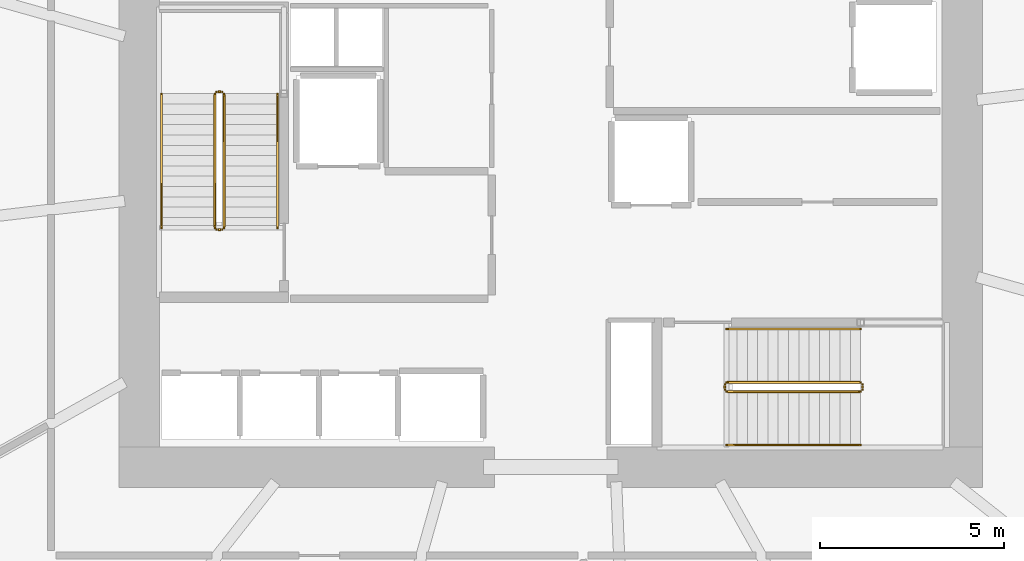
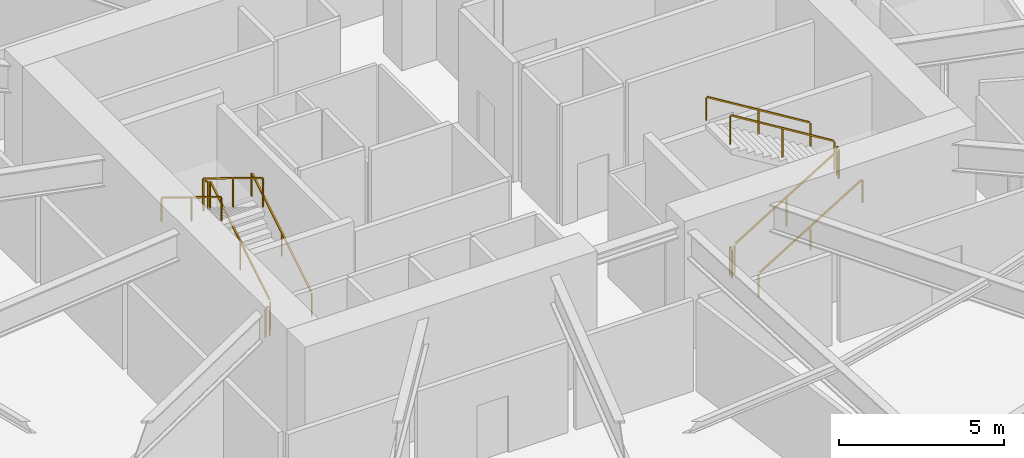
# One storey, part 20 of 21: 12 railings.
"""IFC4 building model written with IfcOpenShell, lengths in metres."""

import ifcopenshell
import ifcopenshell.guid

model = None  # the IFC model being written
_history = None  # IfcOwnerHistory: only IFC2X3 demands one
_inside = {}  # id of a spatial element -> (the spatial element, [elements in it])
_under = {}  # id of a project, library or spatial element -> (it, [spatial elements below it])
_declared = {}  # id of a project -> (the project, [libraries it declares])
_typed = {}  # id of a type object -> (the type object, [elements of that type])
_made_of = {}  # id of a material, layer set ... -> (it, [elements and type objects made of it])


def new_model(schema):
    """Start an empty IFC model of exactly this schema.

    Asked for "IFC4X3", IfcOpenShell would pick the latest addendum, in which some entities
    have other attributes; the version numbers below select the first issue.
    IFC2X3 requires an IfcOwnerHistory on every rooted entity: one is made here for all.
    """
    global model, _history
    if schema == "IFC4X3":
        model = ifcopenshell.file(schema_version=(4, 3, 0, 0))
    else:
        model = ifcopenshell.file(schema=schema)
    _inside.clear()
    _under.clear()
    _declared.clear()
    _typed.clear()
    _made_of.clear()
    _history = None
    if model.schema == "IFC2X3":
        org = make("IfcOrganization", Name="unknown")
        user = make(
            "IfcPersonAndOrganization",
            ThePerson=make("IfcPerson", FamilyName="unknown"),
            TheOrganization=org,
        )
        app = make(
            "IfcApplication",
            ApplicationDeveloper=org,
            Version="unknown",
            ApplicationFullName="unknown",
            ApplicationIdentifier="unknown",
        )
        _history = make(
            "IfcOwnerHistory",
            OwningUser=user,
            OwningApplication=app,
            ChangeAction="ADDED",
            CreationDate=0,
        )
    return model


def make(cls, **values):
    """One entity of the class cls with the attributes given. An attribute that is None is left unset."""
    return model.create_entity(
        cls, **{name: value for name, value in values.items() if value is not None}
    )


def rooted(cls, **values):
    """An entity with a GlobalId (a new one), such as an element, a storey or a relation."""
    return make(cls, GlobalId=ifcopenshell.guid.new(), OwnerHistory=_history, **values)


def si_unit(unit_type, name, prefix=None):
    """IfcSIUnit, for example si_unit("LENGTHUNIT", "METRE", prefix="MILLI")."""
    return make("IfcSIUnit", UnitType=unit_type, Prefix=prefix, Name=name)


def assignment(units):
    """IfcUnitAssignment: the units of a project."""
    return None if units is None else make("IfcUnitAssignment", Units=units)


def point(xyz):
    """IfcCartesianPoint."""
    return None if xyz is None else make("IfcCartesianPoint", Coordinates=xyz)


def direction(xyz):
    """IfcDirection."""
    return None if xyz is None else make("IfcDirection", DirectionRatios=xyz)


def frame(location, z_axis=None, x_axis=None):
    """IfcAxis2Placement3D, a coordinate frame: its origin and axes. An axis left out is left unset."""
    return make(
        "IfcAxis2Placement3D",
        Location=point(location),
        Axis=direction(z_axis),
        RefDirection=direction(x_axis),
    )


def frame_2d(location, x_axis=None):
    """IfcAxis2Placement2D, a coordinate frame in the plane: its origin and x axis."""
    return make(
        "IfcAxis2Placement2D", Location=point(location), RefDirection=direction(x_axis)
    )


def origin():
    """The frame at (0, 0, 0) with its axes left unset."""
    return frame((0.0, 0.0, 0.0))


def origin_2d():
    """The frame at (0, 0) in the plane with its x axis left unset."""
    return frame_2d((0.0, 0.0))


def place(relative_to, where):
    """IfcLocalPlacement: puts the frame where relative to a parent placement (None: the world)."""
    return make(
        "IfcLocalPlacement", PlacementRelTo=relative_to, RelativePlacement=where
    )


def context(
    kind, dimensions, precision=None, world=None, true_north=None, identifier=None
):
    """IfcGeometricRepresentationContext, for example the 3D "Model" context."""
    return make(
        "IfcGeometricRepresentationContext",
        ContextIdentifier=identifier,
        ContextType=kind,
        CoordinateSpaceDimension=dimensions,
        Precision=precision,
        WorldCoordinateSystem=world,
        TrueNorth=true_north,
    )


def subcontext(parent, identifier, kind, view, scale=None):
    """IfcGeometricRepresentationSubContext, for example "Body" below "Model"."""
    return make(
        "IfcGeometricRepresentationSubContext",
        ContextIdentifier=identifier,
        ContextType=kind,
        ParentContext=parent,
        TargetScale=scale,
        TargetView=view,
    )


def project(units=None, contexts=None):
    """IfcProject with its units and contexts."""
    return rooted(
        "IfcProject",
        Name="project",
        RepresentationContexts=contexts,
        UnitsInContext=assignment(units),
    )


def spatial(cls, under=None, at=None, **own):
    """A site, building, storey or space (cls), placed at a placement, below another one or the project."""
    s = rooted(cls, ObjectPlacement=at, **own)
    if under is not None:
        _under.setdefault(under.id(), (under, []))[1].append(s)
    return s


def profile(cls, at=None, kind="AREA", **sizes):
    """A parametric profile (cls). Its sizes go by their IFC names, for example OverallWidth=200.0."""
    return make(cls, ProfileType=kind, Position=at, **sizes)


def rectangle(**sizes):
    """IfcRectangleProfileDef."""
    return profile("IfcRectangleProfileDef", **sizes)


def extrude(swept, where, along, depth):
    """IfcExtrudedAreaSolid: the profile swept, set in the frame where, extruded along a direction by depth."""
    return make(
        "IfcExtrudedAreaSolid",
        SweptArea=swept,
        Position=where,
        ExtrudedDirection=direction(along),
        Depth=depth,
    )


def shape(context_of_items, identifier, shape_type, items):
    """IfcShapeRepresentation: the items that make up one representation, for example the "Body"."""
    return make(
        "IfcShapeRepresentation",
        ContextOfItems=context_of_items,
        RepresentationIdentifier=identifier,
        RepresentationType=shape_type,
        Items=items,
    )


def material(Name=None, Category=None):
    """IfcMaterial."""
    return make("IfcMaterial", Name=Name, Category=Category)


def made_of(thing, what):
    """Note that an element or type object is made of a material, layer set ...; save() writes the relation."""
    if what is not None:
        _made_of.setdefault(what.id(), (what, []))[1].append(thing)
    return thing


def type_object(cls, material=None, **own):
    """A type object (cls), such as IfcWallType, which elements share."""
    return made_of(rooted(cls, **own), material)


def element(
    cls,
    number,
    at=None,
    inside=None,
    cuts=None,
    type_object=None,
    material=None,
    context=None,
    identifier="Body",
    shape_type=None,
    held_by="IfcProductDefinitionShape",
    body=None,
    shapes=None,
    **own,
):
    """One element of the class cls, such as IfcWall. Its Tag is "e" and its number.

    at: its placement. inside: the storey or other place that contains it. cuts: it is an
    opening in that element (IfcRelVoidsElement). A single representation is given by context,
    identifier, shape_type and body (its items); several are given by shapes. held_by: the class
    of the entity that holds the representations. save() writes the other relations.
    """
    e = rooted(cls, Tag="e%d" % number, ObjectPlacement=at, **own)
    if body is not None:
        shapes = [shape(context, identifier, shape_type, body)]
    if shapes is not None:
        e.Representation = make(held_by, Representations=shapes)
    if inside is not None:
        _inside.setdefault(inside.id(), (inside, []))[1].append(e)
    if cuts is not None:
        rooted(
            "IfcRelVoidsElement", RelatingBuildingElement=cuts, RelatedOpeningElement=e
        )
    if type_object is not None:
        _typed.setdefault(type_object.id(), (type_object, []))[1].append(e)
    return made_of(e, material)


def aggregate(whole, parts):
    """IfcRelAggregates: a whole, such as a stair, and the parts it consists of."""
    return rooted("IfcRelAggregates", RelatingObject=whole, RelatedObjects=parts)


def save(model, path):
    """Write the relations noted so far, then the file.

    IfcRelAggregates (storeys below a building ...), IfcRelContainedInSpatialStructure (elements
    in a storey), IfcRelDefinesByType, IfcRelAssociatesMaterial and IfcRelDeclares: one each for
    every whole, place, type object, material and project.
    """
    for whole, parts in _under.values():
        aggregate(whole, parts)
    for where, things in _inside.values():
        rooted(
            "IfcRelContainedInSpatialStructure",
            RelatedElements=things,
            RelatingStructure=where,
        )
    for kind, things in _typed.values():
        rooted("IfcRelDefinesByType", RelatedObjects=things, RelatingType=kind)
    for what, things in _made_of.values():
        rooted("IfcRelAssociatesMaterial", RelatedObjects=things, RelatingMaterial=what)
    for by, libraries in _declared.values():
        rooted("IfcRelDeclares", RelatingContext=by, RelatedDefinitions=libraries)
    model.write(path)


model = new_model("IFC4")

# Units and contexts
model_context = context("Model", 3, precision=1e-05, world=origin(), true_north=direction((0.0, 1.0)))
body_context = subcontext(model_context, "Body", "Model", "MODEL_VIEW")
ifc_project = project(units=[si_unit("LENGTHUNIT", "METRE"), si_unit("AREAUNIT", "SQUARE_METRE"), si_unit("VOLUMEUNIT", "CUBIC_METRE"), si_unit("PLANEANGLEUNIT", "RADIAN"), si_unit("MASSUNIT", "GRAM", prefix="KILO")], contexts=[model_context])

# Site, building, storey
site_placement = place(None, origin())
site = spatial("IfcSite", under=ifc_project, at=site_placement, CompositionType="ELEMENT")
building_placement = place(site_placement, origin())
building = spatial("IfcBuilding", under=site, at=building_placement, Name="Kazma Halo Residences", CompositionType="ELEMENT")
storey_placement = place(building_placement, frame((0.0, 0.0, 21.60009765625)))
storey = spatial("IfcBuildingStorey", under=building, at=storey_placement, Name="L04", CompositionType="ELEMENT", Elevation=21.60009765625)

# Railings
ifc_material_1 = material(Name="Painted Steel S355", Category="steel")
railing_type_1 = type_object("IfcRailingType", Name="RLG-STAIR-GRD-1100", PredefinedType="GUARDRAIL", material=ifc_material_1)
railing_1_placement = place(storey_placement, frame((39.550048828125, 39.949951171875, 0.17138671875)))
element("IfcRailing", 1, at=railing_1_placement, inside=storey, type_object=railing_type_1, Name="L04 ST-01 stair guard 1", PredefinedType="GUARDRAIL", context=body_context, shape_type="SweptSolid", body=[
    extrude(rectangle(XDim=0.050048828125, YDim=0.050048828125, at=origin_2d()), frame((0.0, 0.036376953125, 1.09716796875), z_axis=(0.0, 0.852865859571, 0.52213008492), x_axis=(-1.0, 0.0, 0.0)), (0.0, 0.0, 1.0), 4.18310546875),
    extrude(rectangle(XDim=0.0400390625, YDim=0.0400390625, at=origin_2d()), origin(), (0.0, 0.0, 1.0), 1.0380859375),
    extrude(rectangle(XDim=0.0400390625, YDim=0.0400390625, at=origin_2d()), frame((0.0, 1.820068359375, 1.1142578125)), (0.0, 0.0, 1.0), 1.0380859375),
    extrude(rectangle(XDim=0.0400390625, YDim=0.0400390625, at=origin_2d()), frame((0.0, 3.64013671875, 2.228515625)), (0.0, 0.0, 1.0), 1.0380859375),
])
railing_2_placement = place(storey_placement, frame((39.5, 43.639892578125, 2.39990234375)))
element("IfcRailing", 2, at=railing_2_placement, inside=storey, type_object=railing_type_1, Name="L04 ST-01 stair guard 2", PredefinedType="GUARDRAIL", context=body_context, shape_type="SweptSolid", body=[
    extrude(rectangle(XDim=0.050048828125, YDim=0.050048828125, at=origin_2d()), frame((-0.04248046875, 0.0, 1.0751953125), z_axis=(-1.0, 0.0, 0.0), x_axis=(0.0, -1.0, 0.0)), (0.0, 0.0, 1.0), 0.06494140625),
    extrude(rectangle(XDim=0.0400390625, YDim=0.0400390625, at=origin_2d()), origin(), (0.0, 0.0, 1.0), 1.0380859375),
    extrude(rectangle(XDim=0.0400390625, YDim=0.0400390625, at=origin_2d()), frame((-0.14990234375, 0.0, 0.0)), (0.0, 0.0, 1.0), 1.0380859375),
])
railing_3_placement = place(storey_placement, frame((39.300048828125, 43.590087890625, 2.5712890625)))
element("IfcRailing", 3, at=railing_3_placement, inside=storey, type_object=railing_type_1, Name="L04 ST-01 stair guard 3", PredefinedType="GUARDRAIL", context=body_context, shape_type="SweptSolid", body=[
    extrude(rectangle(XDim=0.050048828125, YDim=0.050048828125, at=origin_2d()), frame((0.0, -0.036376953125, 1.09716796875), z_axis=(0.0, -0.852865859571, 0.52213008492), x_axis=(1.0, 0.0, 0.0)), (0.0, 0.0, 1.0), 4.18310546875),
    extrude(rectangle(XDim=0.0400390625, YDim=0.0400390625, at=origin_2d()), origin(), (0.0, 0.0, 1.0), 1.0380859375),
    extrude(rectangle(XDim=0.0400390625, YDim=0.0400390625, at=origin_2d()), frame((0.0, -1.820068359375, 1.1142578125)), (0.0, 0.0, 1.0), 1.0380859375),
    extrude(rectangle(XDim=0.0400390625, YDim=0.0400390625, at=origin_2d()), frame((0.0, -3.64013671875, 2.228515625)), (0.0, 0.0, 1.0), 1.0380859375),
])
railing_4_placement = place(storey_placement, frame((39.5, 39.89990234375, 0.0)))
element("IfcRailing", 4, at=railing_4_placement, inside=storey, type_object=railing_type_1, Name="L04 ST-01 stair guard 4", PredefinedType="GUARDRAIL", context=body_context, shape_type="SweptSolid", body=[
    extrude(rectangle(XDim=0.050048828125, YDim=0.050048828125, at=origin_2d()), frame((-0.04248046875, 0.0, 1.0751953125), z_axis=(-1.0, 0.0, 0.0), x_axis=(0.0, -1.0, 0.0)), (0.0, 0.0, 1.0), 0.06494140625),
    extrude(rectangle(XDim=0.0400390625, YDim=0.0400390625, at=origin_2d()), origin(), (0.0, 0.0, 1.0), 1.0380859375),
    extrude(rectangle(XDim=0.0400390625, YDim=0.0400390625, at=origin_2d()), frame((-0.14990234375, 0.0, 0.0)), (0.0, 0.0, 1.0), 1.0380859375),
])
railing_5_placement = place(storey_placement, frame((53.199951171875, 35.5, 0.17138671875)))
element("IfcRailing", 5, at=railing_5_placement, inside=storey, type_object=railing_type_1, Name="L04 ST-03 stair guard 1", PredefinedType="GUARDRAIL", context=body_context, shape_type="SweptSolid", body=[
    extrude(rectangle(XDim=0.050048828125, YDim=0.050048828125, at=origin_2d()), frame((0.036376953125, 0.0, 1.09716796875), z_axis=(0.852865859571, 0.0, 0.52213008492), x_axis=(0.0, 1.0, 0.0)), (0.0, 0.0, 1.0), 4.18310546875),
    extrude(rectangle(XDim=0.0400390625, YDim=0.0400390625, at=origin_2d()), origin(), (0.0, 0.0, 1.0), 1.0380859375),
    extrude(rectangle(XDim=0.0400390625, YDim=0.0400390625, at=origin_2d()), frame((1.820068359375, 0.0, 1.1142578125)), (0.0, 0.0, 1.0), 1.0380859375),
    extrude(rectangle(XDim=0.0400390625, YDim=0.0400390625, at=origin_2d()), frame((3.64013671875, 0.0, 2.228515625)), (0.0, 0.0, 1.0), 1.0380859375),
])
railing_6_placement = place(storey_placement, frame((56.889892578125, 35.550048828125, 2.39990234375)))
element("IfcRailing", 6, at=railing_6_placement, inside=storey, type_object=railing_type_1, Name="L04 ST-03 stair guard 2", PredefinedType="GUARDRAIL", context=body_context, shape_type="SweptSolid", body=[
    extrude(rectangle(XDim=0.050048828125, YDim=0.050048828125, at=origin_2d()), frame((0.0, 0.04248046875, 1.0751953125), z_axis=(0.0, 1.0, 0.0), x_axis=(-1.0, 0.0, 0.0)), (0.0, 0.0, 1.0), 0.06494140625),
    extrude(rectangle(XDim=0.0400390625, YDim=0.0400390625, at=origin_2d()), origin(), (0.0, 0.0, 1.0), 1.0380859375),
    extrude(rectangle(XDim=0.0400390625, YDim=0.0400390625, at=origin_2d()), frame((0.0, 0.14990234375, 0.0)), (0.0, 0.0, 1.0), 1.0380859375),
])
railing_7_placement = place(storey_placement, frame((56.840087890625, 35.75, 2.5712890625)))
element("IfcRailing", 7, at=railing_7_placement, inside=storey, type_object=railing_type_1, Name="L04 ST-03 stair guard 3", PredefinedType="GUARDRAIL", context=body_context, shape_type="SweptSolid", body=[
    extrude(rectangle(XDim=0.050048828125, YDim=0.050048828125, at=origin_2d()), frame((-0.036376953125, 0.0, 1.09716796875), z_axis=(-0.852865859571, 0.0, 0.52213008492), x_axis=(0.0, -1.0, 0.0)), (0.0, 0.0, 1.0), 4.18310546875),
    extrude(rectangle(XDim=0.0400390625, YDim=0.0400390625, at=origin_2d()), origin(), (0.0, 0.0, 1.0), 1.0380859375),
    extrude(rectangle(XDim=0.0400390625, YDim=0.0400390625, at=origin_2d()), frame((-1.820068359375, 0.0, 1.1142578125)), (0.0, 0.0, 1.0), 1.0380859375),
    extrude(rectangle(XDim=0.0400390625, YDim=0.0400390625, at=origin_2d()), frame((-3.64013671875, 0.0, 2.228515625)), (0.0, 0.0, 1.0), 1.0380859375),
])
railing_8_placement = place(storey_placement, frame((53.14990234375, 35.550048828125, 0.0)))
element("IfcRailing", 8, at=railing_8_placement, inside=storey, type_object=railing_type_1, Name="L04 ST-03 stair guard 4", PredefinedType="GUARDRAIL", context=body_context, shape_type="SweptSolid", body=[
    extrude(rectangle(XDim=0.050048828125, YDim=0.050048828125, at=origin_2d()), frame((0.0, 0.04248046875, 1.0751953125), z_axis=(0.0, 1.0, 0.0), x_axis=(-1.0, 0.0, 0.0)), (0.0, 0.0, 1.0), 0.06494140625),
    extrude(rectangle(XDim=0.0400390625, YDim=0.0400390625, at=origin_2d()), origin(), (0.0, 0.0, 1.0), 1.0380859375),
    extrude(rectangle(XDim=0.0400390625, YDim=0.0400390625, at=origin_2d()), frame((0.0, 0.14990234375, 0.0)), (0.0, 0.0, 1.0), 1.0380859375),
])
ifc_material_2 = material(Name="Brushed Stainless Steel", Category="steel")
railing_type_2 = type_object("IfcRailingType", Name="RLG-STAIR-HND-900", PredefinedType="HANDRAIL", material=ifc_material_2)
railing_9_placement = place(storey_placement, frame((41.0, 39.949951171875, 0.17138671875)))
element("IfcRailing", 9, at=railing_9_placement, inside=storey, type_object=railing_type_2, Name="L04 ST-01 stair handrail 1", PredefinedType="HANDRAIL", context=body_context, shape_type="SweptSolid", body=[
    extrude(rectangle(XDim=0.050048828125, YDim=0.050048828125, at=origin_2d()), frame((0.0, 0.036376953125, 0.89697265625), z_axis=(0.0, 0.852865859571, 0.52213008492), x_axis=(-1.0, 0.0, 0.0)), (0.0, 0.0, 1.0), 4.18310546875),
    extrude(rectangle(XDim=0.0400390625, YDim=0.0400390625, at=origin_2d()), origin(), (0.0, 0.0, 1.0), 0.837890625),
    extrude(rectangle(XDim=0.0400390625, YDim=0.0400390625, at=origin_2d()), frame((0.0, 1.820068359375, 1.1142578125)), (0.0, 0.0, 1.0), 0.837890625),
    extrude(rectangle(XDim=0.0400390625, YDim=0.0400390625, at=origin_2d()), frame((0.0, 3.64013671875, 2.228515625)), (0.0, 0.0, 1.0), 0.837890625),
])
railing_10_placement = place(storey_placement, frame((37.85009765625, 43.590087890625, 2.5712890625)))
element("IfcRailing", 10, at=railing_10_placement, inside=storey, type_object=railing_type_2, Name="L04 ST-01 stair handrail 2", PredefinedType="HANDRAIL", context=body_context, shape_type="SweptSolid", body=[
    extrude(rectangle(XDim=0.050048828125, YDim=0.050048828125, at=origin_2d()), frame((0.0, -0.036376953125, 0.89697265625), z_axis=(0.0, -0.852865859571, 0.52213008492), x_axis=(1.0, 0.0, 0.0)), (0.0, 0.0, 1.0), 4.18310546875),
    extrude(rectangle(XDim=0.0400390625, YDim=0.0400390625, at=origin_2d()), origin(), (0.0, 0.0, 1.0), 0.837890625),
    extrude(rectangle(XDim=0.0400390625, YDim=0.0400390625, at=origin_2d()), frame((0.0, -1.820068359375, 1.1142578125)), (0.0, 0.0, 1.0), 0.837890625),
    extrude(rectangle(XDim=0.0400390625, YDim=0.0400390625, at=origin_2d()), frame((0.0, -3.64013671875, 2.228515625)), (0.0, 0.0, 1.0), 0.837890625),
])
railing_11_placement = place(storey_placement, frame((53.199951171875, 34.050048828125, 0.17138671875)))
element("IfcRailing", 11, at=railing_11_placement, inside=storey, type_object=railing_type_2, Name="L04 ST-03 stair handrail 1", PredefinedType="HANDRAIL", context=body_context, shape_type="SweptSolid", body=[
    extrude(rectangle(XDim=0.050048828125, YDim=0.050048828125, at=origin_2d()), frame((0.036376953125, 0.0, 0.89697265625), z_axis=(0.852865859571, 0.0, 0.52213008492), x_axis=(0.0, 1.0, 0.0)), (0.0, 0.0, 1.0), 4.18310546875),
    extrude(rectangle(XDim=0.0400390625, YDim=0.0400390625, at=origin_2d()), origin(), (0.0, 0.0, 1.0), 0.837890625),
    extrude(rectangle(XDim=0.0400390625, YDim=0.0400390625, at=origin_2d()), frame((1.820068359375, 0.0, 1.1142578125)), (0.0, 0.0, 1.0), 0.837890625),
    extrude(rectangle(XDim=0.0400390625, YDim=0.0400390625, at=origin_2d()), frame((3.64013671875, 0.0, 2.228515625)), (0.0, 0.0, 1.0), 0.837890625),
])
railing_12_placement = place(storey_placement, frame((56.840087890625, 37.199951171875, 2.5712890625)))
element("IfcRailing", 12, at=railing_12_placement, inside=storey, type_object=railing_type_2, Name="L04 ST-03 stair handrail 2", PredefinedType="HANDRAIL", context=body_context, shape_type="SweptSolid", body=[
    extrude(rectangle(XDim=0.050048828125, YDim=0.050048828125, at=origin_2d()), frame((-0.036376953125, 0.0, 0.89697265625), z_axis=(-0.852865859571, 0.0, 0.52213008492), x_axis=(0.0, -1.0, 0.0)), (0.0, 0.0, 1.0), 4.18310546875),
    extrude(rectangle(XDim=0.0400390625, YDim=0.0400390625, at=origin_2d()), origin(), (0.0, 0.0, 1.0), 0.837890625),
    extrude(rectangle(XDim=0.0400390625, YDim=0.0400390625, at=origin_2d()), frame((-1.820068359375, 0.0, 1.1142578125)), (0.0, 0.0, 1.0), 0.837890625),
    extrude(rectangle(XDim=0.0400390625, YDim=0.0400390625, at=origin_2d()), frame((-3.64013671875, 0.0, 2.228515625)), (0.0, 0.0, 1.0), 0.837890625),
])

save(model, "model.ifc")
